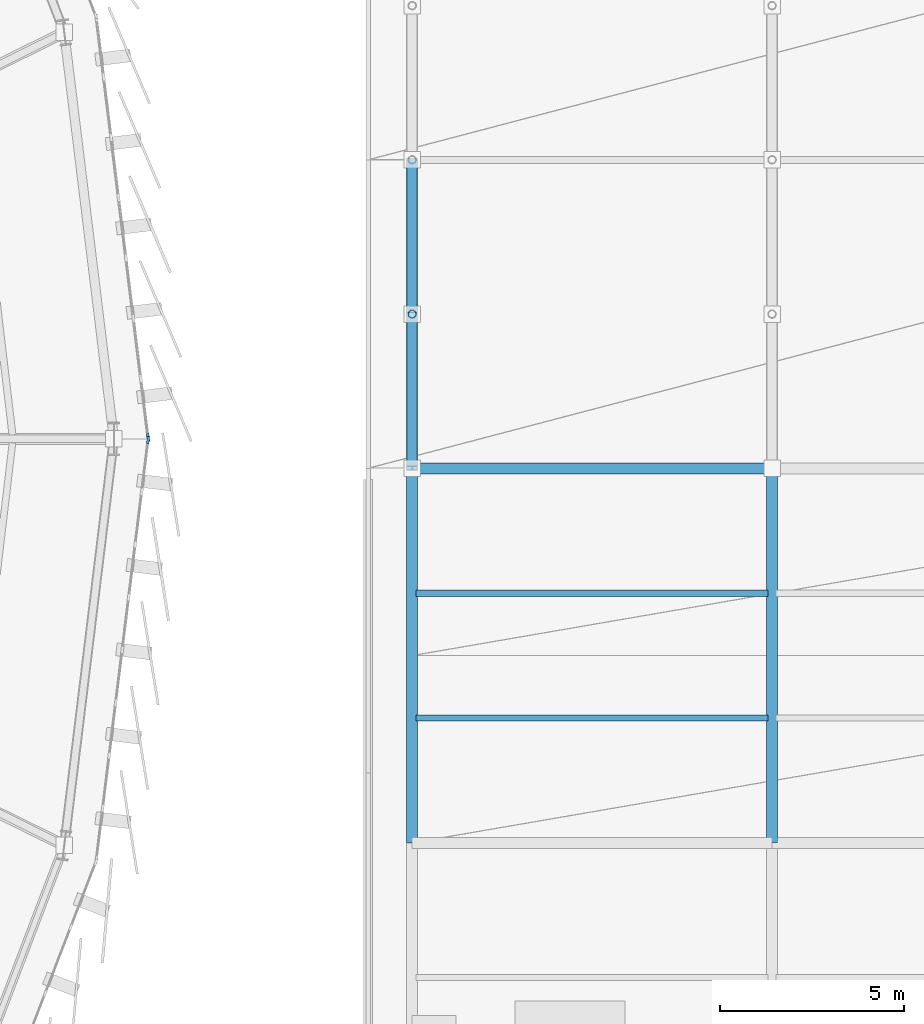
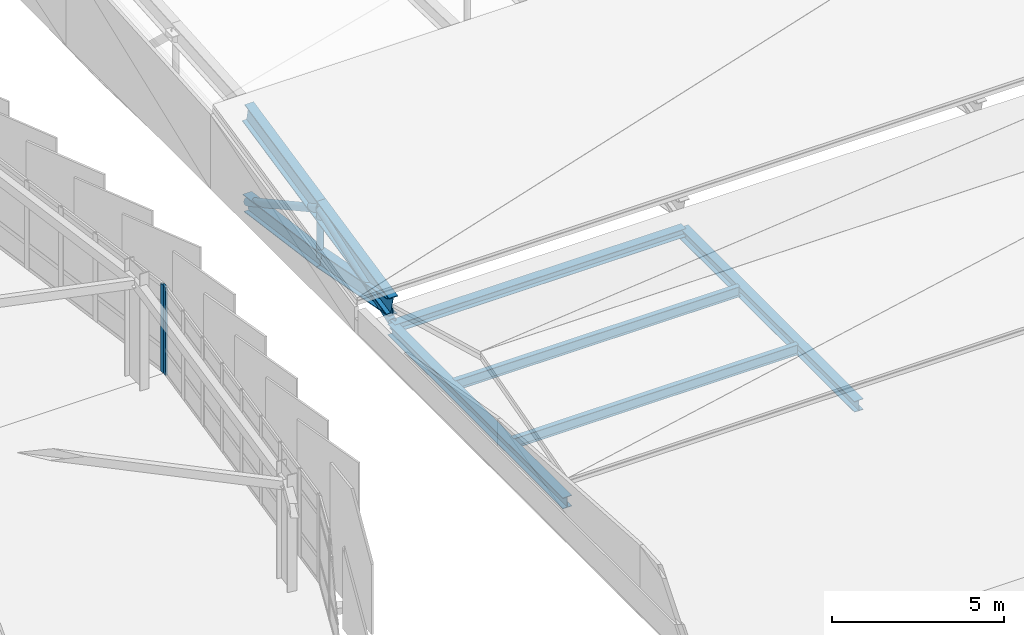
# One storey, part 47 of 87: 9 beams, 5 members, 2 elements without a shape of their own.
"""IFC4 building model written with IfcOpenShell, lengths in metres."""

from ifc_helpers import new_model, si_unit, direction, frame, origin, origin_2d, place, context, subcontext, project, spatial, rectangle, hollow_circle, i_section, extrude, material, layer, layer_set, material_profile, profile_set, type_object, element, aggregate, save


model = new_model("IFC4")

# Units and contexts
model_context = context("Model", 3, precision=1e-05, world=origin(), true_north=direction((0.0, 1.0)))
body_context = subcontext(model_context, "Body", "Model", "MODEL_VIEW")
ifc_project = project(units=[si_unit("LENGTHUNIT", "METRE"), si_unit("AREAUNIT", "SQUARE_METRE"), si_unit("VOLUMEUNIT", "CUBIC_METRE"), si_unit("PLANEANGLEUNIT", "RADIAN"), si_unit("MASSUNIT", "GRAM", prefix="KILO")], contexts=[model_context])

# Site, building, storey
site_placement = place(None, origin())
site = spatial("IfcSite", under=ifc_project, at=site_placement, CompositionType="ELEMENT")
building_placement = place(site_placement, origin())
building = spatial("IfcBuilding", under=site, at=building_placement, Name="Sohan Crest Arena", CompositionType="ELEMENT")
storey_placement = place(building_placement, frame((0.0, 0.0, 18.0)))
storey = spatial("IfcBuildingStorey", under=building, at=storey_placement, Name="L04", CompositionType="ELEMENT", Elevation=18.0)

# Curtain wall, member
ifc_material_1 = material(Name="Thermally broken anodised aluminium", Category="aluminium")
ifc_layer_1 = layer(ifc_material_1, 0.18994140625, Name="Thermally broken anodised aluminium")
ifc_layer_set_1 = layer_set([ifc_layer_1], Name="Thermally broken anodised aluminium")
curtain_wall_type_1 = type_object("IfcCurtainWallType", Name="ARC-CW05", PredefinedType="NOTDEFINED", material=ifc_layer_set_1)
curtain_wall_1_placement = place(storey_placement, origin())
curtain_wall_1 = element("IfcCurtainWall", 1, at=curtain_wall_1_placement, inside=storey, type_object=curtain_wall_type_1, Name="Unitised curtain wall CW-134", PredefinedType="NOTDEFINED")
ifc_material_profile_1 = material_profile(ifc_material_1, rectangle(XDim=0.070068359375, YDim=0.199951171875, at=origin_2d()), Name="ALU-MULL 70x200")
ifc_profile_set_1 = profile_set([ifc_material_profile_1], Name="Thermally broken anodised aluminium")
member_type_1 = type_object("IfcMemberType", Name="ARC-CW-ML03", PredefinedType="MULLION", material=ifc_profile_set_1)
member_1_placement = place(storey_placement, frame((189.009765625, 77.96533203125, 0.0), z_axis=(0.0, 0.0, 1.0), x_axis=(-0.992488933309, 0.122334448372, 0.0)))
member_1 = element("IfcMember", 2, at=member_1_placement, type_object=member_type_1, Name="CW-134 mullion 9", PredefinedType="MULLION", context=body_context, shape_type="SweptSolid", body=[
    extrude(rectangle(XDim=0.070068359375, YDim=0.199951171875, at=origin_2d()), origin(), (0.0, 0.0, 1.0), 3.1201171875),
])
aggregate(curtain_wall_1, [member_1])

ifc_layer_2 = layer(ifc_material_1, 0.2099609375, Name="Thermally broken anodised aluminium")
ifc_layer_set_2 = layer_set([ifc_layer_2], Name="Thermally broken anodised aluminium")
curtain_wall_type_2 = type_object("IfcCurtainWallType", Name="ARC-CW06", PredefinedType="NOTDEFINED", material=ifc_layer_set_2)
curtain_wall_2_placement = place(storey_placement, origin())
curtain_wall_2 = element("IfcCurtainWall", 3, at=curtain_wall_2_placement, inside=storey, type_object=curtain_wall_type_2, Name="Unitised curtain wall CW-135", PredefinedType="NOTDEFINED")
ifc_material_profile_2 = material_profile(ifc_material_1, rectangle(XDim=0.074951171875, YDim=0.219970703125, at=origin_2d()), Name="ALU-MULL 75x220")
ifc_profile_set_2 = profile_set([ifc_material_profile_2], Name="Thermally broken anodised aluminium")
member_type_2 = type_object("IfcMemberType", Name="ARC-CW-ML04", PredefinedType="MULLION", material=ifc_profile_set_2)
member_2_placement = place(storey_placement, frame((189.009521484375, 78.037109375, 0.0), z_axis=(0.0, 0.0, 1.0), x_axis=(-0.992488933309, -0.122334448372, 0.0)))
member_2 = element("IfcMember", 4, at=member_2_placement, type_object=member_type_2, Name="CW-135 mullion 1", PredefinedType="MULLION", context=body_context, shape_type="SweptSolid", body=[
    extrude(rectangle(XDim=0.074951171875, YDim=0.219970703125, at=origin_2d()), origin(), (0.0, 0.0, 1.0), 3.1201171875),
])
aggregate(curtain_wall_2, [member_2])

# Beams
ifc_material_2 = material(Name="Steel S355", Category="steel")
ifc_material_profile_3 = material_profile(ifc_material_2, i_section(OverallWidth=0.169921875, OverallDepth=0.360107421875, WebThickness=0.008056640625, FlangeThickness=0.0126953125, at=origin_2d()), Name="IPE 360")
ifc_profile_set_3 = profile_set([ifc_material_profile_3], Name="Steel S355")
beam_type_1 = type_object("IfcBeamType", Name="STR-BM-B02", PredefinedType="JOIST", material=ifc_profile_set_3)
for number, where, z_axis, x_axis, name in (
    (5, (196.31005859375, 70.39990234375, -0.419921875), (1.0, 0.0, 0.0), (0.0, 1.0, 0.0), "Structural beam J-L04-2415"),
    (6, (196.31005859375, 73.800048828125, -0.419921875), (1.0, 0.0, 0.0), (0.0, 1.0, 0.0), "Structural beam J-L04-2416"),
):
    element("IfcBeam", number, at=place(storey_placement, frame(where, z_axis=z_axis, x_axis=x_axis)), inside=storey, type_object=beam_type_1, Name=name, PredefinedType="JOIST", context=body_context, shape_type="SweptSolid", body=[
        extrude(i_section(OverallWidth=0.169921875, OverallDepth=0.360107421875, WebThickness=0.008056640625, FlangeThickness=0.0126953125, at=origin_2d()), origin(), (0.0, 0.0, 1.0), 9.579833984375),
    ])
ifc_material_profile_4 = material_profile(ifc_material_2, i_section(OverallWidth=0.300048828125, OverallDepth=0.2900390625, WebThickness=0.008544921875, FlangeThickness=0.013916015625, at=origin_2d()), Name="HEA 300")
ifc_profile_set_4 = profile_set([ifc_material_profile_4], Name="Steel S355")
beam_type_2 = type_object("IfcBeamType", Name="STR-BM-B08", PredefinedType="BEAM", material=ifc_profile_set_4)
beam_1_placement = place(storey_placement, frame((196.199951171875, 77.199951171875, -0.385009765625), z_axis=(1.0, 0.0, 0.0), x_axis=(0.0, 1.0, 0.0)))
element("IfcBeam", 7, at=beam_1_placement, inside=storey, type_object=beam_type_2, Name="Structural beam G-L04-2423", PredefinedType="BEAM", context=body_context, shape_type="SweptSolid", body=[
    extrude(i_section(OverallWidth=0.300048828125, OverallDepth=0.2900390625, WebThickness=0.008544921875, FlangeThickness=0.013916015625, at=origin_2d()), origin(), (0.0, 0.0, 1.0), 9.800048828125),
])
ifc_material_profile_5 = material_profile(ifc_material_2, i_section(OverallWidth=0.300048828125, OverallDepth=0.389892578125, WebThickness=0.010986328125, FlangeThickness=0.01904296875, at=origin_2d()), Name="HEA 400")
ifc_profile_set_5 = profile_set([ifc_material_profile_5], Name="Steel S355")
beam_type_3 = type_object("IfcBeamType", Name="STR-BM-B09", PredefinedType="BEAM", material=ifc_profile_set_5)
for number, where, z_axis, x_axis, name in (
    (8, (196.199951171875, 67.0, -0.43505859375), (0.0, 1.0, 0.0), (-1.0, 0.0, 0.0), "Structural beam G-L04-2386"),
    (9, (206.0, 67.0, -0.43505859375), (0.0, 1.0, 0.0), (-1.0, 0.0, 0.0), "Structural beam G-L04-2389"),
):
    element("IfcBeam", number, at=place(storey_placement, frame(where, z_axis=z_axis, x_axis=x_axis)), inside=storey, type_object=beam_type_3, Name=name, PredefinedType="BEAM", context=body_context, shape_type="SweptSolid", body=[
        extrude(i_section(OverallWidth=0.300048828125, OverallDepth=0.389892578125, WebThickness=0.010986328125, FlangeThickness=0.01904296875, at=origin_2d()), origin(), (0.0, 0.0, 1.0), 10.199951171875),
    ])
ifc_material_profile_6 = material_profile(ifc_material_2, i_section(OverallWidth=0.300048828125, OverallDepth=0.590087890625, WebThickness=0.012939453125, FlangeThickness=0.02490234375, at=origin_2d()), Name="HEA 600")
ifc_profile_set_6 = profile_set([ifc_material_profile_6], Name="Steel S355")
beam_type_4 = type_object("IfcBeamType", Name="STR-BM-B11", PredefinedType="BEAM", material=ifc_profile_set_6)
beam_2_placement = place(storey_placement, frame((196.199951171875, 77.199951171875, 0.35009765625), z_axis=(0.0, 0.981945733642, -0.189162829814), x_axis=(-1.0, 0.0, 0.0)))
element("IfcBeam", 10, at=beam_2_placement, inside=storey, type_object=beam_type_4, Name="Structural beam VAB-L04-2427", PredefinedType="BEAM", context=body_context, shape_type="SweptSolid", body=[
    extrude(i_section(OverallWidth=0.300048828125, OverallDepth=0.590087890625, WebThickness=0.012939453125, FlangeThickness=0.02490234375, at=origin_2d()), origin(), (0.0, 0.0, 1.0), 4.277099609375),
])
beam_3_placement = place(storey_placement, frame((196.199951171875, 81.39990234375, -0.458984375), z_axis=(0.0, 0.990659791804, -0.136356799988), x_axis=(-1.0, 0.0, 0.0)))
element("IfcBeam", 11, at=beam_3_placement, inside=storey, type_object=beam_type_4, Name="Structural beam VAB-L04-2429", PredefinedType="BEAM", context=body_context, shape_type="SweptSolid", body=[
    extrude(i_section(OverallWidth=0.300048828125, OverallDepth=0.590087890625, WebThickness=0.012939453125, FlangeThickness=0.02490234375, at=origin_2d()), origin(), (0.0, 0.0, 1.0), 4.23974609375),
])
ifc_material_profile_7 = material_profile(ifc_material_2, i_section(OverallWidth=0.300048828125, OverallDepth=0.699951171875, WebThickness=0.01708984375, FlangeThickness=0.031982421875, at=origin_2d()), Name="HEB 700")
ifc_profile_set_7 = profile_set([ifc_material_profile_7], Name="Steel S355")
beam_type_5 = type_object("IfcBeamType", Name="STR-BM-B16", PredefinedType="BEAM", material=ifc_profile_set_7)
beam_4_placement = place(storey_placement, frame((196.199951171875, 77.199951171875, 0.3701171875), z_axis=(0.0, 0.977806572858, 0.209509680146), x_axis=(-1.0, 0.0, 0.0)))
element("IfcBeam", 12, at=beam_4_placement, inside=storey, type_object=beam_type_5, Name="Structural beam VA-L04-2426", PredefinedType="BEAM", context=body_context, shape_type="SweptSolid", body=[
    extrude(i_section(OverallWidth=0.300048828125, OverallDepth=0.699951171875, WebThickness=0.01708984375, FlangeThickness=0.031982421875, at=origin_2d()), origin(), (0.0, 0.0, 1.0), 4.295166015625),
])
beam_5_placement = place(storey_placement, frame((196.199951171875, 81.39990234375, 1.27001953125), z_axis=(0.0, 0.977809067572, 0.209498036682), x_axis=(-1.0, 0.0, 0.0)))
element("IfcBeam", 13, at=beam_5_placement, inside=storey, type_object=beam_type_5, Name="Structural beam VA-L04-2428", PredefinedType="BEAM", context=body_context, shape_type="SweptSolid", body=[
    extrude(i_section(OverallWidth=0.300048828125, OverallDepth=0.699951171875, WebThickness=0.01708984375, FlangeThickness=0.031982421875, at=origin_2d()), origin(), (0.0, 0.0, 1.0), 4.29541015625),
])

# Members
ifc_material_profile_8 = material_profile(ifc_material_2, hollow_circle(Radius=0.109619140625, WallThickness=0.010009765625, at=origin_2d()), Name="CHS 219.1x10")
ifc_profile_set_8 = profile_set([ifc_material_profile_8], Name="Steel S355")
member_type_3 = type_object("IfcMemberType", Name="STR-MEM-BR01", PredefinedType="BRACE", material=ifc_profile_set_8)
member_3_placement = place(storey_placement, frame((196.199951171875, 81.39990234375, -0.458984375), z_axis=(0.0, 0.0, 1.0), x_axis=(1.0, 0.0, 0.0)))
element("IfcMember", 14, at=member_3_placement, inside=storey, type_object=member_type_3, Name="Vault truss web strut VW-002", PredefinedType="BRACE", context=body_context, shape_type="SweptSolid", body=[
    extrude(hollow_circle(Radius=0.109619140625, WallThickness=0.010009765625, at=origin_2d()), origin(), (0.0, 0.0, 1.0), 1.72900390625),
])
ifc_material_profile_9 = material_profile(ifc_material_2, hollow_circle(Radius=0.136474609375, WallThickness=0.012451171875, at=origin_2d()), Name="CHS 273x12.5")
ifc_profile_set_9 = profile_set([ifc_material_profile_9], Name="Steel S355")
member_type_4 = type_object("IfcMemberType", Name="STR-MEM-BR02", PredefinedType="BRACE", material=ifc_profile_set_9)
member_4_placement = place(storey_placement, frame((196.199951171875, 77.199951171875, -0.18994140625), z_axis=(0.0, 0.944559001123, 0.328341732646), x_axis=(-1.0, 0.0, 0.0)))
element("IfcMember", 15, at=member_4_placement, inside=storey, type_object=member_type_4, Name="Vault truss diagonal VDG-001", PredefinedType="BRACE", context=body_context, shape_type="SweptSolid", body=[
    extrude(hollow_circle(Radius=0.136474609375, WallThickness=0.012451171875, at=origin_2d()), origin(), (0.0, 0.0, 1.0), 4.446533203125),
])
member_5_placement = place(storey_placement, frame((196.199951171875, 85.60009765625, -1.037109375), z_axis=(0.0, -0.876478234726, 0.481441485594), x_axis=(1.0, 0.0, 0.0)))
element("IfcMember", 16, at=member_5_placement, inside=storey, type_object=member_type_4, Name="Vault truss diagonal VDG-003", PredefinedType="BRACE", context=body_context, shape_type="SweptSolid", body=[
    extrude(hollow_circle(Radius=0.136474609375, WallThickness=0.012451171875, at=origin_2d()), origin(), (0.0, 0.0, 1.0), 4.792236328125),
])

save(model, "model.ifc")
